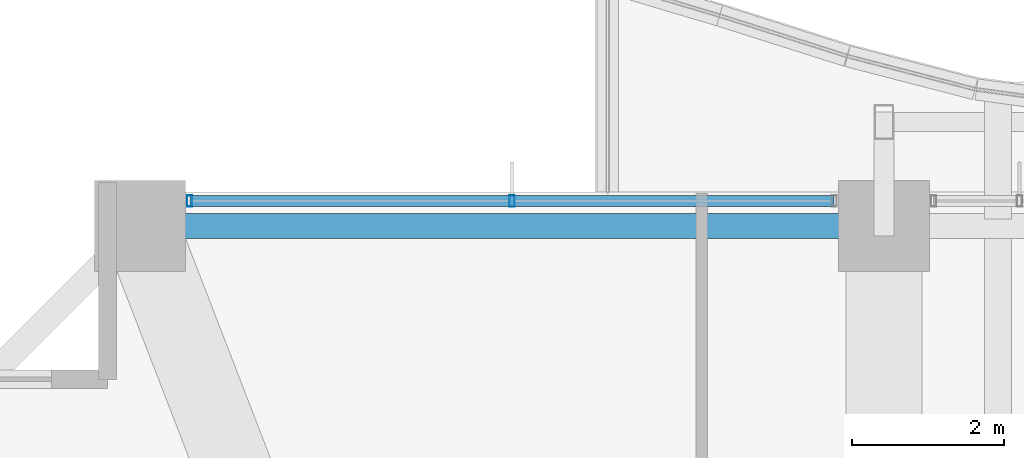
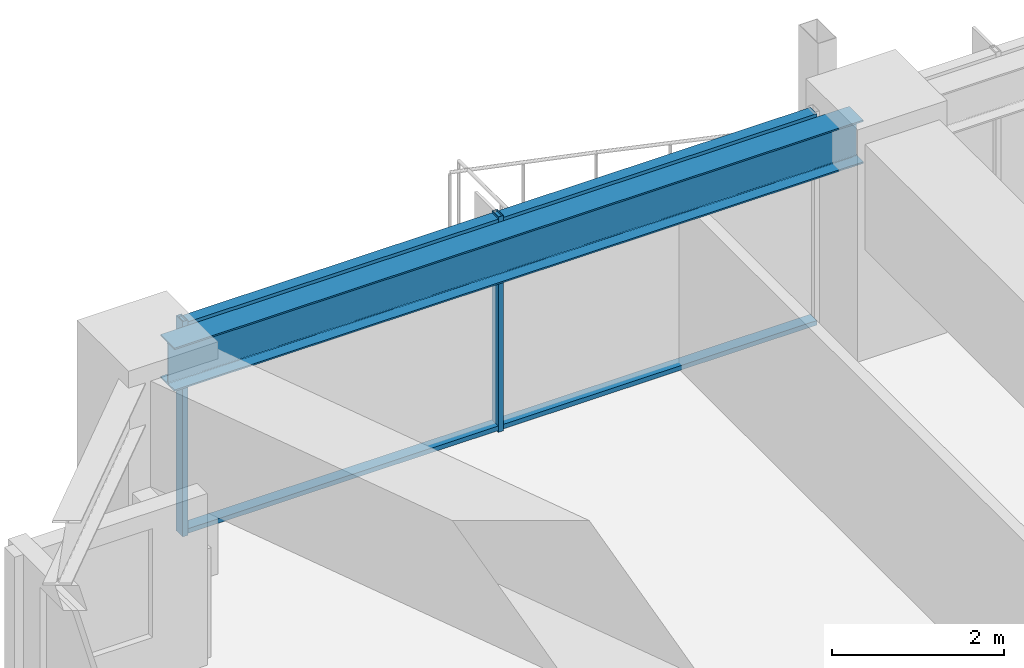
# One storey, part 18 of 37: 4 members, 1 beam, 1 element without a shape of its own.
"""IFC4 building model written with IfcOpenShell, lengths in metres."""

from ifc_helpers import new_model, si_unit, direction, frame, origin, origin_2d, place, context, subcontext, project, spatial, hollow_rectangle, i_section, extrude, material, material_profile, profile_set, type_object, element, aggregate, save


model = new_model("IFC4")

# Units and contexts
model_context = context("Model", 3, precision=1e-05, world=origin(), true_north=direction((0.0, 1.0)))
body_context = subcontext(model_context, "Body", "Model", "MODEL_VIEW")
ifc_project = project(units=[si_unit("LENGTHUNIT", "METRE"), si_unit("AREAUNIT", "SQUARE_METRE"), si_unit("VOLUMEUNIT", "CUBIC_METRE"), si_unit("PLANEANGLEUNIT", "RADIAN"), si_unit("MASSUNIT", "GRAM", prefix="KILO")], contexts=[model_context])

# Site, building, storey
site_placement = place(None, origin())
site = spatial("IfcSite", under=ifc_project, at=site_placement, CompositionType="ELEMENT")
building_placement = place(site_placement, origin())
building = spatial("IfcBuilding", under=site, at=building_placement, Name="Kolvaren Belvedere", CompositionType="ELEMENT")
storey_placement = place(building_placement, frame((0.0, 0.0, 43.60009765625)))
storey = spatial("IfcBuildingStorey", under=building, at=storey_placement, Name="L12", CompositionType="ELEMENT", Elevation=43.60009765625)

# Beam
ifc_material_1 = material(Name="Structural steel ASTM A992 Grade 50", Category="steel")
ifc_material_profile_1 = material_profile(ifc_material_1, i_section(OverallWidth=0.324951171875, OverallDepth=0.615966796875, WebThickness=0.013916015625, FlangeThickness=0.021484375, FilletRadius=0.02001953125, at=origin_2d()), Name="W24X117")
ifc_profile_set_1 = profile_set([ifc_material_profile_1], Name="Structural steel ASTM A992 Grade 50")
beam_type = type_object("IfcBeamType", Name="BM-SPAN-W24X117", PredefinedType="SPANDREL", material=ifc_profile_set_1)
beam_placement = place(storey_placement, frame((-4.8701171875, 21.550048828125, 2.751953125), z_axis=(-1.0, 0.0, 0.0), x_axis=(0.0, -1.0, 0.0)))
element("IfcBeam", 1, at=beam_placement, inside=storey, type_object=beam_type, Name="L12 Perimeter Spandrel N2-N1", PredefinedType="SPANDREL", context=body_context, shape_type="SweptSolid", body=[
    extrude(i_section(OverallWidth=0.324951171875, OverallDepth=0.615966796875, WebThickness=0.013916015625, FlangeThickness=0.021484375, FilletRadius=0.02001953125, at=origin_2d()), origin(), (0.0, 0.0, 1.0), 9.259765625),
])

# Curtain wall, members
ifc_material_2 = material(Name="Anodised pale-metal aluminium AA 6063-T6", Category="aluminium")
curtain_wall_type = type_object("IfcCurtainWallType", Name="CW-Z1-LOW", PredefinedType="NOTDEFINED", material=ifc_material_2)
curtain_wall_placement = place(storey_placement, origin())
curtain_wall = element("IfcCurtainWall", 2, at=curtain_wall_placement, inside=storey, type_object=curtain_wall_type, Name="L12 Unitised Curtain Wall FCW-L12-N1-B1", PredefinedType="NOTDEFINED")
ifc_material_3 = material(Name="Anodised pale-metal aluminium AA 6063-T6", Category="aluminium")
ifc_material_profile_2 = material_profile(ifc_material_3, hollow_rectangle(XDim=0.070068359375, YDim=0.14990234375, WallThickness=0.004150390625, at=origin_2d()), Name="ALU-MUL-150X70")
ifc_profile_set_2 = profile_set([ifc_material_profile_2], Name="Anodised pale-metal aluminium AA 6063-T6")
member_type_1 = type_object("IfcMemberType", Name="CW-MUL-150", PredefinedType="MULLION", material=ifc_profile_set_2)
member_1_placement = place(storey_placement, frame((-13.7451171875, 21.8798828125, 0.0), z_axis=(0.0, 0.0, 1.0), x_axis=(1.0, 0.0, 0.0)))
member_1 = element("IfcMember", 3, at=member_1_placement, type_object=member_type_1, Name="FCW-L12-N1-B1 Unitised Mullion 1", PredefinedType="MULLION", context=body_context, shape_type="SweptSolid", body=[
    extrude(hollow_rectangle(XDim=0.070068359375, YDim=0.14990234375, WallThickness=0.004150390625, at=origin_2d()), origin(), (0.0, 0.0, 1.0), 3.059814453125),
])
member_2_placement = place(storey_placement, frame((-9.5, 21.8798828125, 0.0), z_axis=(0.0, 0.0, 1.0), x_axis=(1.0, 0.0, 0.0)))
member_2 = element("IfcMember", 4, at=member_2_placement, type_object=member_type_1, Name="FCW-L12-N1-B1 Unitised Mullion 2", PredefinedType="MULLION", context=body_context, shape_type="SweptSolid", body=[
    extrude(hollow_rectangle(XDim=0.070068359375, YDim=0.14990234375, WallThickness=0.004150390625, at=origin_2d()), origin(), (0.0, 0.0, 1.0), 3.059814453125),
])
ifc_material_4 = material(Name="Anodised pale-metal aluminium AA 6063-T6", Category="aluminium")
ifc_material_profile_3 = material_profile(ifc_material_4, hollow_rectangle(XDim=0.06494140625, YDim=0.14990234375, WallThickness=0.00390625, at=origin_2d()), Name="ALU-TRN-150X65")
ifc_profile_set_3 = profile_set([ifc_material_profile_3], Name="Anodised pale-metal aluminium AA 6063-T6")
member_type_2 = type_object("IfcMemberType", Name="CW-TRN-150", PredefinedType="USERDEFINED", material=ifc_profile_set_3)
member_3_placement = place(storey_placement, frame((-13.7451171875, 21.8798828125, 0.059814453125), z_axis=(1.0, 0.0, 0.0), x_axis=(0.0, 0.0, 1.0)))
member_3 = element("IfcMember", 5, at=member_3_placement, type_object=member_type_2, Name="FCW-L12-N1-B1 Sill Transom", ObjectType="TRANSOM", PredefinedType="USERDEFINED", context=body_context, shape_type="SweptSolid", body=[
    extrude(hollow_rectangle(XDim=0.06494140625, YDim=0.14990234375, WallThickness=0.00390625, at=origin_2d()), origin(), (0.0, 0.0, 1.0), 8.490234375),
])
member_4_placement = place(storey_placement, frame((-13.7451171875, 21.8798828125, 3.0), z_axis=(1.0, 0.0, 0.0), x_axis=(0.0, 0.0, 1.0)))
member_4 = element("IfcMember", 6, at=member_4_placement, type_object=member_type_2, Name="FCW-L12-N1-B1 Head Transom", ObjectType="TRANSOM", PredefinedType="USERDEFINED", context=body_context, shape_type="SweptSolid", body=[
    extrude(hollow_rectangle(XDim=0.06494140625, YDim=0.14990234375, WallThickness=0.00390625, at=origin_2d()), origin(), (0.0, 0.0, 1.0), 8.490234375),
])
aggregate(curtain_wall, [member_1, member_2, member_3, member_4])

save(model, "model.ifc")
